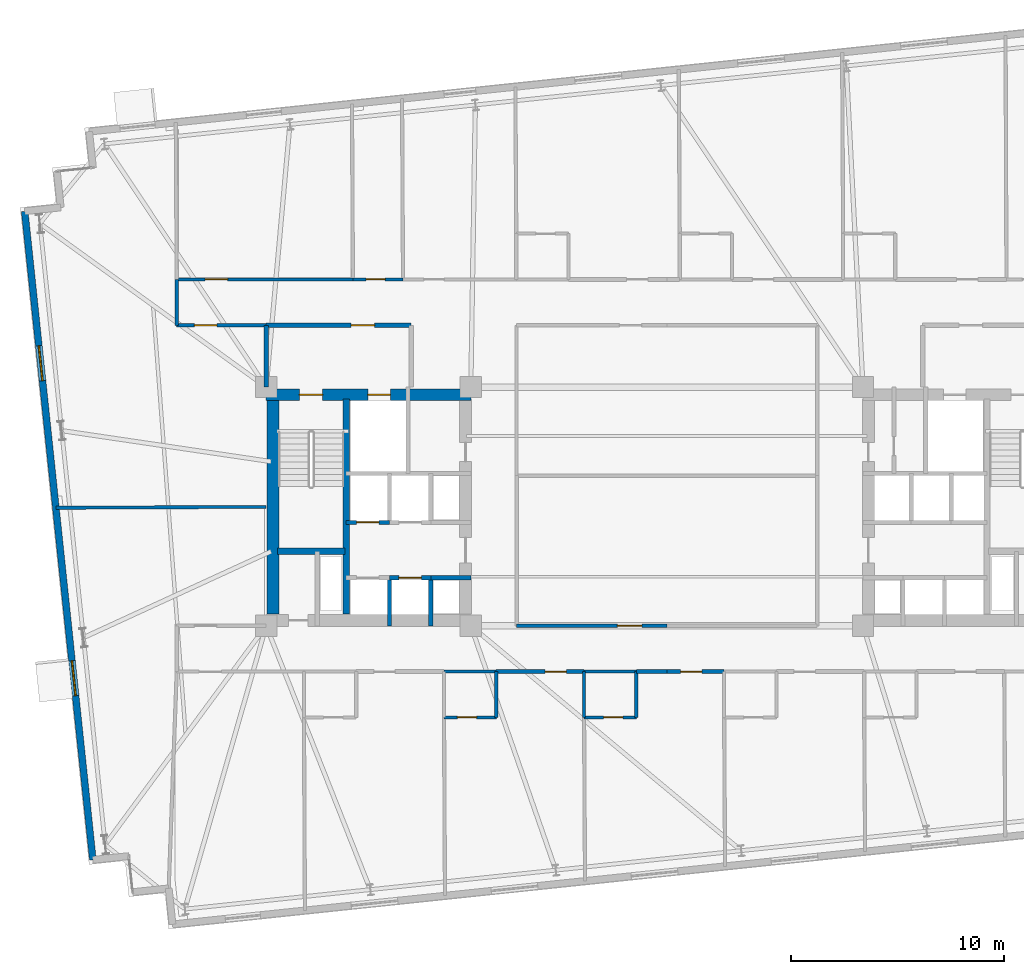
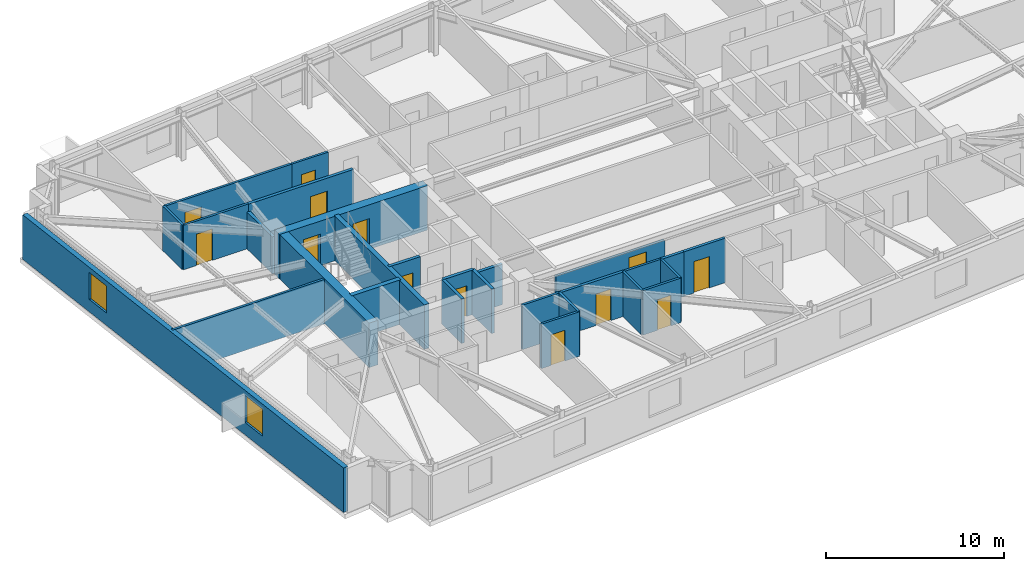
# One storey, part 12 of 19: 28 walls, 13 doors, 2 windows, 15 openings.
"""IFC4 building model written with IfcOpenShell, lengths in metres."""

from ifc_helpers import new_model, si_unit, direction, frame, frame_2d, origin, place, context, subcontext, project, spatial, rectangle, extrude, material, layer, layer_set, type_object, element, fill, save


model = new_model("IFC4")

# Units and contexts
model_context = context("Model", 3, precision=1e-05, world=origin(), true_north=direction((0.0, 1.0)))
body_context = subcontext(model_context, "Body", "Model", "MODEL_VIEW")
ifc_project = project(units=[si_unit("LENGTHUNIT", "METRE"), si_unit("AREAUNIT", "SQUARE_METRE"), si_unit("VOLUMEUNIT", "CUBIC_METRE"), si_unit("PLANEANGLEUNIT", "RADIAN"), si_unit("MASSUNIT", "GRAM", prefix="KILO")], contexts=[model_context])

# Site, building, storey
site_placement = place(None, origin())
site = spatial("IfcSite", under=ifc_project, at=site_placement, CompositionType="ELEMENT")
building_placement = place(site_placement, origin())
building = spatial("IfcBuilding", under=site, at=building_placement, Name="Qobustan Lattice House", CompositionType="ELEMENT")
storey_placement = place(building_placement, frame((0.0, 0.0, 115.85009765625)))
storey = spatial("IfcBuildingStorey", under=building, at=storey_placement, Name="L32", CompositionType="ELEMENT", Elevation=115.85009765625)

# Wall, openings, doors
ifc_material_1 = material(Name="Concrete C60/75", Category="concrete")
ifc_layer_1 = layer(ifc_material_1, 0.56005859375)
ifc_layer_set_1 = layer_set([ifc_layer_1], Name="Concrete C60/75")
wall_type_1 = type_object("IfcWallType", Name="WAL-CORE-600", PredefinedType="SHEAR", material=ifc_layer_set_1)
wall_1_placement = place(storey_placement, frame((-18.800048828125, 5.239990234375, 0.0), z_axis=(0.0, 0.0, 1.0), x_axis=(1.0, 0.0, 0.0)))
wall_1 = element("IfcWall", 1, at=wall_1_placement, inside=storey, type_object=wall_type_1, Name="L32 split-core shear wall CW-N", PredefinedType="SHEAR", context=body_context, shape_type="SweptSolid", body=[
    extrude(rectangle(XDim=9.60009765625, YDim=0.56005859375, at=frame_2d((4.800048828125, 0.0))), origin(), (0.0, 0.0, 1.0), 3.044921875),
])
opening_1_placement = place(wall_1_placement, frame((1.550048828125, 0.0, 0.0)))
opening_1 = element("IfcOpeningElement", 2, at=opening_1_placement, cuts=wall_1, Name="Opening SD-01", PredefinedType="OPENING", context=body_context, shape_type="SweptSolid", body=[
    extrude(rectangle(XDim=1.10009765625, YDim=2.14990234375, at=frame_2d((0.550048828125, 1.074951171875))), frame((0.0, 0.2900390625, 0.0), z_axis=(0.0, -1.0, 0.0), x_axis=(1.0, 0.0, 0.0)), (0.0, 0.0, 1.0), 0.580078125),
])
opening_2_placement = place(wall_1_placement, frame((4.77490234375, 0.0, 0.0)))
opening_2 = element("IfcOpeningElement", 3, at=opening_2_placement, cuts=wall_1, Name="Opening LD-01", PredefinedType="OPENING", context=body_context, shape_type="SweptSolid", body=[
    extrude(rectangle(XDim=1.050048828125, YDim=2.10009765625, at=frame_2d((0.52490234375, 1.050048828125))), frame((0.0, 0.2900390625, 0.0), z_axis=(0.0, -1.0, 0.0), x_axis=(1.0, 0.0, 0.0)), (0.0, 0.0, 1.0), 0.580078125),
])
ifc_material_2 = material(Name="Persian walnut timber and steel frame door", Category="steel")
door_type_1 = type_object("IfcDoorType", Name="DOR-LIFT-LD-1050x2100", OperationType="NOTDEFINED", PredefinedType="DOOR", material=ifc_material_2)
door_1_placement = place(opening_2_placement, origin())
door_1 = element("IfcDoor", 4, at=door_1_placement, inside=storey, type_object=door_type_1, Name="L32 firefighting lift FF-W landing door", OperationType="DOUBLE_DOOR_SLIDING", OverallHeight=2.10009765625, OverallWidth=1.050048828125, PredefinedType="DOOR", context=body_context, shape_type="SweptSolid", body=[
    extrude(rectangle(XDim=1.050048828125, YDim=2.10009765625, at=frame_2d((0.52490234375, 1.050048828125))), frame((0.0, 0.02490234375, 0.0), z_axis=(0.0, -1.0, 0.0), x_axis=(1.0, 0.0, 0.0)), (0.0, 0.0, 1.0), 0.050048828125),
])
fill(opening_2, door_1)
ifc_material_3 = material(Name="Persian walnut timber and steel frame door", Category="steel")
door_type_2 = type_object("IfcDoorType", Name="DOR-STAIR-FD-1100x2150", OperationType="NOTDEFINED", PredefinedType="DOOR", material=ifc_material_3)
door_2_placement = place(opening_1_placement, origin())
door_2 = element("IfcDoor", 5, at=door_2_placement, inside=storey, type_object=door_type_2, Name="L32 exit stair ST-W1 fire door", OperationType="SINGLE_SWING_RIGHT", OverallHeight=2.14990234375, OverallWidth=1.10009765625, PredefinedType="DOOR", context=body_context, shape_type="SweptSolid", body=[
    extrude(rectangle(XDim=1.10009765625, YDim=2.14990234375, at=frame_2d((0.550048828125, 1.074951171875))), frame((0.0, 0.02490234375, 0.0), z_axis=(0.0, -1.0, 0.0), x_axis=(1.0, 0.0, 0.0)), (0.0, 0.0, 1.0), 0.050048828125),
])
fill(opening_1, door_2)

# Walls
wall_2_placement = place(storey_placement, frame((-18.489990234375, -5.050048828125, 0.0), z_axis=(0.0, 0.0, 1.0), x_axis=(0.0, 1.0, 0.0)))
element("IfcWall", 6, at=wall_2_placement, inside=storey, type_object=wall_type_1, Name="L32 split-core shear wall CW-W", PredefinedType="SHEAR", context=body_context, shape_type="SweptSolid", body=[
    extrude(rectangle(XDim=10.10009765625, YDim=0.56005859375, at=frame_2d((5.050048828125, 0.0))), origin(), (0.0, 0.0, 1.0), 3.044921875),
])
ifc_material_4 = material(Name="Concrete C50/60", Category="concrete")
ifc_layer_2 = layer(ifc_material_4, 0.280029296875)
ifc_layer_set_2 = layer_set([ifc_layer_2], Name="Concrete C50/60")
wall_type_2 = type_object("IfcWallType", Name="WAL-CORE-SPINE-280", PredefinedType="SHEAR", material=ifc_layer_set_2)
wall_3_placement = place(storey_placement, frame((-15.050048828125, -5.050048828125, 0.0), z_axis=(0.0, 0.0, 1.0), x_axis=(0.0, 1.0, 0.0)))
element("IfcWall", 7, at=wall_3_placement, inside=storey, type_object=wall_type_2, Name="L32 split-core shear wall CW-M", PredefinedType="SHEAR", context=body_context, shape_type="SweptSolid", body=[
    extrude(rectangle(XDim=10.10009765625, YDim=0.300048828125, at=frame_2d((5.050048828125, 0.0))), origin(), (0.0, 0.0, 1.0), 3.044921875),
])
wall_4_placement = place(storey_placement, frame((-18.280029296875, -2.110107421875, 0.0), z_axis=(0.0, 0.0, 1.0), x_axis=(1.0, 0.0, 0.0)))
element("IfcWall", 8, at=wall_4_placement, inside=storey, type_object=wall_type_2, Name="L32 split-core shear wall CW-ST", PredefinedType="SHEAR", context=body_context, shape_type="SweptSolid", body=[
    extrude(rectangle(XDim=3.179931640625, YDim=0.300048828125, at=frame_2d((1.58984375, 0.0))), origin(), (0.0, 0.0, 1.0), 3.044921875),
])

# Wall, openings, windows
ifc_material_5 = material(Name="Precast concrete C40/50", Category="concrete")
ifc_layer_3 = layer(ifc_material_5, 0.320068359375)
ifc_layer_set_3 = layer_set([ifc_layer_3], Name="Precast concrete C40/50")
wall_type_3 = type_object("IfcWallType", Name="WAL-EXT-STONE-320", PredefinedType="SOLIDWALL", material=ifc_layer_set_3)
wall_5_placement = place(storey_placement, frame((-26.934814453125, -16.58349609375, 0.0), z_axis=(0.0, 0.0, 1.0), x_axis=(-0.104524887486, 0.994522271192, 0.0)))
wall_5 = element("IfcWall", 9, at=wall_5_placement, inside=storey, type_object=wall_type_3, Name="L32 exterior limestone-clad wall 5", PredefinedType="SOLIDWALL", context=body_context, shape_type="SweptSolid", body=[
    extrude(rectangle(XDim=30.600341796875, YDim=0.320068359375, at=frame_2d((15.30029296875, 0.0))), origin(), (0.0, 0.0, 1.0), 3.044921875),
])
opening_3_placement = place(wall_5_placement, frame((7.74609375, 0.0, 0.85009765625)))
opening_3 = element("IfcOpeningElement", 10, at=opening_3_placement, cuts=wall_5, Name="Opening WN-09", PredefinedType="OPENING", context=body_context, shape_type="SweptSolid", body=[
    extrude(rectangle(XDim=1.64990234375, YDim=1.85009765625, at=frame_2d((0.824951171875, 0.925048828125))), frame((0.0, 0.169921875, 0.0), z_axis=(0.0, -1.0, 0.0), x_axis=(1.0, 0.0, 0.0)), (0.0, 0.0, 1.0), 0.340087890625),
])
opening_4_placement = place(wall_5_placement, frame((22.605712890625, 0.0, 0.85009765625)))
opening_4 = element("IfcOpeningElement", 11, at=opening_4_placement, cuts=wall_5, Name="Opening WN-09", PredefinedType="OPENING", context=body_context, shape_type="SweptSolid", body=[
    extrude(rectangle(XDim=1.64990234375, YDim=1.85009765625, at=frame_2d((0.824951171875, 0.925048828125))), frame((0.0, 0.169921875, 0.0), z_axis=(0.0, -1.0, 0.0), x_axis=(1.0, 0.0, 0.0)), (0.0, 0.0, 1.0), 0.340087890625),
])
ifc_material_6 = material(Name="Double-glazed low-E aluminium window", Category="aluminium")
window_type = type_object("IfcWindowType", Name="WIN-STU-1650x1850", PartitioningType="SINGLE_PANEL", PredefinedType="WINDOW", material=ifc_material_6)
window_1_placement = place(opening_3_placement, origin())
window_1 = element("IfcWindow", 12, at=window_1_placement, inside=storey, type_object=window_type, Name="L32 Fellows reading room window", OverallHeight=1.85009765625, OverallWidth=1.64990234375, PartitioningType="SINGLE_PANEL", PredefinedType="WINDOW", context=body_context, shape_type="SweptSolid", body=[
    extrude(rectangle(XDim=1.64990234375, YDim=1.85009765625, at=frame_2d((0.824951171875, 0.925048828125))), frame((0.0, 0.030029296875, 0.0), z_axis=(0.0, -1.0, 0.0), x_axis=(1.0, 0.0, 0.0)), (0.0, 0.0, 1.0), 0.06005859375),
])
fill(opening_3, window_1)
window_2_placement = place(opening_4_placement, origin())
window_2 = element("IfcWindow", 13, at=window_2_placement, inside=storey, type_object=window_type, Name="L32 Collaborative tutorial room window", OverallHeight=1.85009765625, OverallWidth=1.64990234375, PartitioningType="SINGLE_PANEL", PredefinedType="WINDOW", context=body_context, shape_type="SweptSolid", body=[
    extrude(rectangle(XDim=1.64990234375, YDim=1.85009765625, at=frame_2d((0.824951171875, 0.925048828125))), frame((0.0, 0.030029296875, 0.0), z_axis=(0.0, -1.0, 0.0), x_axis=(1.0, 0.0, 0.0)), (0.0, 0.0, 1.0), 0.06005859375),
])
fill(opening_4, window_2)

# Wall, opening, door
ifc_material_7 = material(Name="Gypsum fireboard acoustic partition", Category="gypsum")
ifc_layer_4 = layer(ifc_material_7, 0.179931640625)
ifc_layer_set_4 = layer_set([ifc_layer_4], Name="Gypsum fireboard acoustic partition")
wall_type_4 = type_object("IfcWallType", Name="WAL-FIRE-180", PredefinedType="PARTITIONING", material=ifc_layer_set_4)
wall_6_placement = place(storey_placement, frame((-3.885986328125, -7.75, 0.0), z_axis=(0.0, 0.0, 1.0), x_axis=(-1.0, 0.0, 0.0)))
wall_6 = element("IfcWall", 14, at=wall_6_placement, inside=storey, type_object=wall_type_4, Name="L32 interior partition 59", PredefinedType="PARTITIONING", context=body_context, shape_type="SweptSolid", body=[
    extrude(rectangle(XDim=4.12109375, YDim=0.179931640625, at=frame_2d((2.060546875, 0.0))), origin(), (0.0, 0.0, 1.0), 3.044921875),
])
opening_5_placement = place(wall_6_placement, frame((0.8251953125, 0.0, 0.0)))
opening_5 = element("IfcOpeningElement", 15, at=opening_5_placement, cuts=wall_6, Name="Opening FD-02", PredefinedType="OPENING", context=body_context, shape_type="SweptSolid", body=[
    extrude(rectangle(XDim=1.0, YDim=2.14990234375, at=frame_2d((0.5, 1.074951171875))), frame((0.0, 0.099853515625, 0.0), z_axis=(0.0, -1.0, 0.0), x_axis=(1.0, 0.0, 0.0)), (0.0, 0.0, 1.0), 0.199951171875),
])
ifc_material_8 = material(Name="Persian walnut timber and steel frame door", Category="steel")
door_type_3 = type_object("IfcDoorType", Name="DOR-UNIT-FD-1000x2150", OperationType="NOTDEFINED", PredefinedType="DOOR", material=ifc_material_8)
door_3_placement = place(opening_5_placement, origin())
door_3 = element("IfcDoor", 16, at=door_3_placement, inside=storey, type_object=door_type_3, Name="L32 South-west floor corridor to Kitchenette and studio apartment L32-S3 door", OperationType="SINGLE_SWING_LEFT", OverallHeight=2.14990234375, OverallWidth=1.0, PredefinedType="DOOR", context=body_context, shape_type="SweptSolid", body=[
    extrude(rectangle(XDim=1.0, YDim=2.14990234375, at=frame_2d((0.5, 1.074951171875))), frame((0.0, 0.02490234375, 0.0), z_axis=(0.0, -1.0, 0.0), x_axis=(1.0, 0.0, 0.0)), (0.0, 0.0, 1.0), 0.050048828125),
])
fill(opening_5, door_3)

# Wall
wall_7_placement = place(storey_placement, frame((0.0, -7.75, 0.0), z_axis=(0.0, 0.0, 1.0), x_axis=(-1.0, 0.0, 0.0)))
element("IfcWall", 17, at=wall_7_placement, inside=storey, type_object=wall_type_4, Name="L32 interior partition 61", PredefinedType="PARTITIONING", context=body_context, shape_type="SweptSolid", body=[
    extrude(rectangle(XDim=1.43603515625, YDim=0.179931640625, at=frame_2d((0.718017578125, 0.0))), origin(), (0.0, 0.0, 1.0), 3.044921875),
])

# Wall, opening, door
wall_8_placement = place(storey_placement, frame((2.68603515625, -7.75, 0.0), z_axis=(0.0, 0.0, 1.0), x_axis=(-1.0, 0.0, 0.0)))
wall_8 = element("IfcWall", 18, at=wall_8_placement, inside=storey, type_object=wall_type_4, Name="L32 interior partition 66", PredefinedType="PARTITIONING", context=body_context, shape_type="SweptSolid", body=[
    extrude(rectangle(XDim=2.68603515625, YDim=0.179931640625, at=frame_2d((1.343017578125, 0.0))), origin(), (0.0, 0.0, 1.0), 3.044921875),
])
opening_6_placement = place(wall_8_placement, frame((1.040283203125, 0.0, 0.0)))
opening_6 = element("IfcOpeningElement", 19, at=opening_6_placement, cuts=wall_8, Name="Opening FD-02", PredefinedType="OPENING", context=body_context, shape_type="SweptSolid", body=[
    extrude(rectangle(XDim=1.0, YDim=2.14990234375, at=frame_2d((0.5, 1.074951171875))), frame((0.0, 0.099853515625, 0.0), z_axis=(0.0, -1.0, 0.0), x_axis=(1.0, 0.0, 0.0)), (0.0, 0.0, 1.0), 0.199951171875),
])
door_4_placement = place(opening_6_placement, origin())
door_4 = element("IfcDoor", 20, at=door_4_placement, inside=storey, type_object=door_type_3, Name="L32 South-east floor corridor to Kitchenette and studio apartment L32-S4 door", OperationType="SINGLE_SWING_RIGHT", OverallHeight=2.14990234375, OverallWidth=1.0, PredefinedType="DOOR", context=body_context, shape_type="SweptSolid", body=[
    extrude(rectangle(XDim=1.0, YDim=2.14990234375, at=frame_2d((0.5, 1.074951171875))), frame((0.0, 0.02490234375, 0.0), z_axis=(0.0, -1.0, 0.0), x_axis=(1.0, 0.0, 0.0)), (0.0, 0.0, 1.0), 0.050048828125),
])
fill(opening_6, door_4)

ifc_material_9 = material(Name="Acoustic twin-stud gypsum partition", Category="gypsum")
ifc_layer_5 = layer(ifc_material_9, 0.14990234375)
ifc_layer_set_5 = layer_set([ifc_layer_5], Name="Acoustic twin-stud gypsum partition")
wall_type_5 = type_object("IfcWallType", Name="WAL-PART-150", PredefinedType="PARTITIONING", material=ifc_layer_set_5)
wall_9_placement = place(storey_placement, frame((-18.800048828125, 8.5, 0.0), z_axis=(0.0, 0.0, 1.0), x_axis=(-1.0, 0.0, 0.0)))
wall_9 = element("IfcWall", 21, at=wall_9_placement, inside=storey, type_object=wall_type_5, Name="L32 interior partition 36", PredefinedType="PARTITIONING", context=body_context, shape_type="SweptSolid", body=[
    extrude(rectangle(XDim=4.199951171875, YDim=0.14990234375, at=frame_2d((2.10009765625, 0.0))), origin(), (0.0, 0.0, 1.0), 3.044921875),
])
opening_7_placement = place(wall_9_placement, frame((2.3212890625, 0.0, 0.0)))
opening_7 = element("IfcOpeningElement", 22, at=opening_7_placement, cuts=wall_9, Name="Opening ID-02", PredefinedType="OPENING", context=body_context, shape_type="SweptSolid", body=[
    extrude(rectangle(XDim=1.050048828125, YDim=2.14990234375, at=frame_2d((0.52490234375, 1.074951171875))), frame((0.0, 0.0849609375, 0.0), z_axis=(0.0, -1.0, 0.0), x_axis=(1.0, 0.0, 0.0)), (0.0, 0.0, 1.0), 0.169921875),
])
ifc_material_10 = material(Name="Persian walnut timber and steel frame door", Category="steel")
door_type_4 = type_object("IfcDoorType", Name="DOR-STUDY-1050x2150", OperationType="NOTDEFINED", PredefinedType="DOOR", material=ifc_material_10)
door_5_placement = place(opening_7_placement, origin())
door_5 = element("IfcDoor", 23, at=door_5_placement, inside=storey, type_object=door_type_4, Name="L32 North-west floor corridor to Collaborative tutorial room door", OperationType="SINGLE_SWING_LEFT", OverallHeight=2.14990234375, OverallWidth=1.050048828125, PredefinedType="DOOR", context=body_context, shape_type="SweptSolid", body=[
    extrude(rectangle(XDim=1.050048828125, YDim=2.14990234375, at=frame_2d((0.52490234375, 1.074951171875))), frame((0.0, 0.02490234375, 0.0), z_axis=(0.0, -1.0, 0.0), x_axis=(1.0, 0.0, 0.0)), (0.0, 0.0, 1.0), 0.050048828125),
])
fill(opening_7, door_5)

# Wall
wall_10_placement = place(storey_placement, frame((-23.0, 8.5, 0.0), z_axis=(0.0, 0.0, 1.0), x_axis=(0.0, 1.0, 0.0)))
element("IfcWall", 24, at=wall_10_placement, inside=storey, type_object=wall_type_5, Name="L32 interior partition 37", PredefinedType="PARTITIONING", context=body_context, shape_type="SweptSolid", body=[
    extrude(rectangle(XDim=2.14990234375, YDim=0.14990234375, at=frame_2d((1.074951171875, 0.0))), origin(), (0.0, 0.0, 1.0), 3.044921875),
])

# Wall, opening, door
wall_11_placement = place(storey_placement, frame((-23.0, 10.64990234375, 0.0), z_axis=(0.0, 0.0, 1.0), x_axis=(1.0, 0.0, 0.0)))
wall_11 = element("IfcWall", 25, at=wall_11_placement, inside=storey, type_object=wall_type_5, Name="L32 interior partition 38", PredefinedType="PARTITIONING", context=body_context, shape_type="SweptSolid", body=[
    extrude(rectangle(XDim=8.26708984375, YDim=0.14990234375, at=frame_2d((4.133544921875, 0.0))), origin(), (0.0, 0.0, 1.0), 3.044921875),
])
opening_8_placement = place(wall_11_placement, frame((1.337158203125, 0.0, 0.0)))
opening_8 = element("IfcOpeningElement", 26, at=opening_8_placement, cuts=wall_11, Name="Opening ID-02", PredefinedType="OPENING", context=body_context, shape_type="SweptSolid", body=[
    extrude(rectangle(XDim=1.050048828125, YDim=2.14990234375, at=frame_2d((0.52490234375, 1.074951171875))), frame((0.0, 0.0849609375, 0.0), z_axis=(0.0, -1.0, 0.0), x_axis=(1.0, 0.0, 0.0)), (0.0, 0.0, 1.0), 0.169921875),
])
door_6_placement = place(opening_8_placement, origin())
door_6 = element("IfcDoor", 27, at=door_6_placement, inside=storey, type_object=door_type_4, Name="L32 North-west floor corridor to Focus study room N1 door", OperationType="SINGLE_SWING_RIGHT", OverallHeight=2.14990234375, OverallWidth=1.050048828125, PredefinedType="DOOR", context=body_context, shape_type="SweptSolid", body=[
    extrude(rectangle(XDim=1.050048828125, YDim=2.14990234375, at=frame_2d((0.52490234375, 1.074951171875))), frame((0.0, 0.02490234375, 0.0), z_axis=(0.0, -1.0, 0.0), x_axis=(1.0, 0.0, 0.0)), (0.0, 0.0, 1.0), 0.050048828125),
])
fill(opening_8, door_6)

# Wall
wall_12_placement = place(storey_placement, frame((-28.6708984375, -0.063720703125, 0.0), z_axis=(0.0, 0.0, 1.0), x_axis=(0.999990089865, 0.004451985263, 0.0)))
element("IfcWall", 28, at=wall_12_placement, inside=storey, type_object=wall_type_5, Name="L32 interior partition 77", PredefinedType="PARTITIONING", context=body_context, shape_type="SweptSolid", body=[
    extrude(rectangle(XDim=9.870849609375, YDim=0.14990234375, at=frame_2d((4.935546875, 0.0))), origin(), (0.0, 0.0, 1.0), 3.044921875),
])

# Wall, opening, door
ifc_material_11 = material(Name="High-mass acoustic twin-stud partition", Category="gypsum")
ifc_layer_6 = layer(ifc_material_11, 0.1650390625)
ifc_layer_set_6 = layer_set([ifc_layer_6], Name="High-mass acoustic twin-stud partition")
wall_type_6 = type_object("IfcWallType", Name="WAL-PART-165", PredefinedType="PARTITIONING", material=ifc_layer_set_6)
wall_13_placement = place(storey_placement, frame((-7.050048828125, -5.60009765625, 0.0), z_axis=(0.0, 0.0, 1.0), x_axis=(1.0, 0.0, 0.0)))
wall_13 = element("IfcWall", 29, at=wall_13_placement, inside=storey, type_object=wall_type_6, Name="L32 interior partition 63", PredefinedType="PARTITIONING", context=body_context, shape_type="SweptSolid", body=[
    extrude(rectangle(XDim=7.050048828125, YDim=0.1650390625, at=frame_2d((3.52490234375, 0.0))), origin(), (0.0, 0.0, 1.0), 2.52978515625),
])
opening_9_placement = place(wall_13_placement, frame((4.7275390625, 0.0, 0.0)))
opening_9 = element("IfcOpeningElement", 30, at=opening_9_placement, cuts=wall_13, Name="Opening ID-03", PredefinedType="OPENING", context=body_context, shape_type="SweptSolid", body=[
    extrude(rectangle(XDim=1.14990234375, YDim=2.14990234375, at=frame_2d((0.574951171875, 1.074951171875))), frame((0.0, 0.092529296875, 0.0), z_axis=(0.0, -1.0, 0.0), x_axis=(1.0, 0.0, 0.0)), (0.0, 0.0, 1.0), 0.18505859375),
])
ifc_material_12 = material(Name="Persian walnut timber and steel frame door", Category="steel")
door_type_5 = type_object("IfcDoorType", Name="DOR-KITCH-1150x2150", OperationType="NOTDEFINED", PredefinedType="DOOR", material=ifc_material_12)
door_7_placement = place(opening_9_placement, origin())
door_7 = element("IfcDoor", 31, at=door_7_placement, inside=storey, type_object=door_type_5, Name="L32 South-west floor corridor to Communal dining kitchen door", OperationType="SINGLE_SWING_RIGHT", OverallHeight=2.14990234375, OverallWidth=1.14990234375, PredefinedType="DOOR", context=body_context, shape_type="SweptSolid", body=[
    extrude(rectangle(XDim=1.14990234375, YDim=2.14990234375, at=frame_2d((0.574951171875, 1.074951171875))), frame((0.0, 0.02490234375, 0.0), z_axis=(0.0, -1.0, 0.0), x_axis=(1.0, 0.0, 0.0)), (0.0, 0.0, 1.0), 0.050048828125),
])
fill(opening_9, door_7)

ifc_material_13 = material(Name="Two-hour gypsum fireboard acoustic partition", Category="gypsum")
ifc_layer_7 = layer(ifc_material_13, 0.199951171875)
ifc_layer_set_7 = layer_set([ifc_layer_7], Name="Two-hour gypsum fireboard acoustic partition")
wall_type_7 = type_object("IfcWallType", Name="WAL-PROT-200", PredefinedType="PARTITIONING", material=ifc_layer_set_7)
wall_14_placement = place(storey_placement, frame((-12.0, 8.5, 0.0), z_axis=(0.0, 0.0, 1.0), x_axis=(-1.0, 0.0, 0.0)))
wall_14 = element("IfcWall", 32, at=wall_14_placement, inside=storey, type_object=wall_type_7, Name="L32 interior partition 3", PredefinedType="PARTITIONING", context=body_context, shape_type="SweptSolid", body=[
    extrude(rectangle(XDim=6.800048828125, YDim=0.199951171875, at=frame_2d((3.39990234375, 0.0))), origin(), (0.0, 0.0, 1.0), 3.044921875),
])
opening_10_placement = place(wall_14_placement, frame((1.715087890625, 0.0, 0.0)))
opening_10 = element("IfcOpeningElement", 33, at=opening_10_placement, cuts=wall_14, Name="Opening SD-01", PredefinedType="OPENING", context=body_context, shape_type="SweptSolid", body=[
    extrude(rectangle(XDim=1.10009765625, YDim=2.14990234375, at=frame_2d((0.550048828125, 1.074951171875))), frame((0.0, 0.10986328125, 0.0), z_axis=(0.0, -1.0, 0.0), x_axis=(1.0, 0.0, 0.0)), (0.0, 0.0, 1.0), 0.219970703125),
])
door_8_placement = place(opening_10_placement, origin())
door_8 = element("IfcDoor", 34, at=door_8_placement, inside=storey, type_object=door_type_2, Name="L32 West firefighting lift lobby to North-west floor corridor door", OperationType="SINGLE_SWING_RIGHT", OverallHeight=2.14990234375, OverallWidth=1.10009765625, PredefinedType="DOOR", context=body_context, shape_type="SweptSolid", body=[
    extrude(rectangle(XDim=1.10009765625, YDim=2.14990234375, at=frame_2d((0.550048828125, 1.074951171875))), frame((0.0, 0.02490234375, 0.0), z_axis=(0.0, -1.0, 0.0), x_axis=(1.0, 0.0, 0.0)), (0.0, 0.0, 1.0), 0.050048828125),
])
fill(opening_10, door_8)

# Wall
wall_15_placement = place(storey_placement, frame((-18.800048828125, 8.5, 0.0), z_axis=(0.0, 0.0, 1.0), x_axis=(0.0, -1.0, 0.0)))
element("IfcWall", 35, at=wall_15_placement, inside=storey, type_object=wall_type_7, Name="L32 interior partition 5", PredefinedType="PARTITIONING", context=body_context, shape_type="SweptSolid", body=[
    extrude(rectangle(XDim=2.89990234375, YDim=0.199951171875, at=frame_2d((1.449951171875, 0.0))), origin(), (0.0, 0.0, 1.0), 2.52978515625),
])

# Wall, opening, door
ifc_material_14 = material(Name="Concrete C40/50", Category="concrete")
ifc_layer_8 = layer(ifc_material_14, 0.199951171875)
ifc_layer_set_8 = layer_set([ifc_layer_8], Name="Concrete C40/50")
wall_type_8 = type_object("IfcWallType", Name="WAL-SHAFT-200", PredefinedType="PARTITIONING", material=ifc_layer_set_8)
wall_16_placement = place(storey_placement, frame((-13.02001953125, -3.35009765625, 0.0), z_axis=(0.0, 0.0, 1.0), x_axis=(1.0, 0.0, 0.0)))
wall_16 = element("IfcWall", 36, at=wall_16_placement, inside=storey, type_object=wall_type_8, Name="L32 interior partition 8", PredefinedType="PARTITIONING", context=body_context, shape_type="SweptSolid", body=[
    extrude(rectangle(XDim=1.93994140625, YDim=0.199951171875, at=frame_2d((0.969970703125, 0.0))), origin(), (0.0, 0.0, 1.0), 3.044921875),
])
opening_11_placement = place(wall_16_placement, frame((0.445068359375, 0.0, 0.0)))
opening_11 = element("IfcOpeningElement", 37, at=opening_11_placement, cuts=wall_16, Name="Opening LD-01", PredefinedType="OPENING", context=body_context, shape_type="SweptSolid", body=[
    extrude(rectangle(XDim=1.050048828125, YDim=2.10009765625, at=frame_2d((0.52490234375, 1.050048828125))), frame((0.0, 0.10986328125, 0.0), z_axis=(0.0, -1.0, 0.0), x_axis=(1.0, 0.0, 0.0)), (0.0, 0.0, 1.0), 0.219970703125),
])
door_9_placement = place(opening_11_placement, origin())
door_9 = element("IfcDoor", 38, at=door_9_placement, inside=storey, type_object=door_type_1, Name="L32 lift landing door", OperationType="DOUBLE_DOOR_SLIDING", OverallHeight=2.10009765625, OverallWidth=1.050048828125, PredefinedType="DOOR", context=body_context, shape_type="SweptSolid", body=[
    extrude(rectangle(XDim=1.050048828125, YDim=2.10009765625, at=frame_2d((0.52490234375, 1.050048828125))), frame((0.0, 0.02490234375, 0.0), z_axis=(0.0, -1.0, 0.0), x_axis=(1.0, 0.0, 0.0)), (0.0, 0.0, 1.0), 0.050048828125),
])
fill(opening_11, door_9)

# Wall
wall_17_placement = place(storey_placement, frame((-11.080078125, -3.35009765625, 0.0), z_axis=(0.0, 0.0, 1.0), x_axis=(1.0, 0.0, 0.0)))
element("IfcWall", 39, at=wall_17_placement, inside=storey, type_object=wall_type_8, Name="L32 interior partition 9", PredefinedType="PARTITIONING", context=body_context, shape_type="SweptSolid", body=[
    extrude(rectangle(XDim=1.880126953125, YDim=0.199951171875, at=frame_2d((0.93994140625, 0.0))), origin(), (0.0, 0.0, 1.0), 2.760009765625),
])

# Wall, opening, door
wall_18_placement = place(storey_placement, frame((-13.02001953125, -0.75, 0.0), z_axis=(0.0, 0.0, 1.0), x_axis=(-1.0, 0.0, 0.0)))
wall_18 = element("IfcWall", 40, at=wall_18_placement, inside=storey, type_object=wall_type_8, Name="L32 interior partition 10", PredefinedType="PARTITIONING", context=body_context, shape_type="SweptSolid", body=[
    extrude(rectangle(XDim=2.030029296875, YDim=0.199951171875, at=frame_2d((1.01513671875, 0.0))), origin(), (0.0, 0.0, 1.0), 3.044921875),
])
opening_12_placement = place(wall_18_placement, frame((0.489990234375, 0.0, 0.0)))
opening_12 = element("IfcOpeningElement", 41, at=opening_12_placement, cuts=wall_18, Name="Opening LD-01", PredefinedType="OPENING", context=body_context, shape_type="SweptSolid", body=[
    extrude(rectangle(XDim=1.050048828125, YDim=2.10009765625, at=frame_2d((0.52490234375, 1.050048828125))), frame((0.0, 0.10986328125, 0.0), z_axis=(0.0, -1.0, 0.0), x_axis=(1.0, 0.0, 0.0)), (0.0, 0.0, 1.0), 0.219970703125),
])
door_10_placement = place(opening_12_placement, origin())
door_10 = element("IfcDoor", 42, at=door_10_placement, inside=storey, type_object=door_type_1, Name="L32 lift landing door", OperationType="DOUBLE_DOOR_SLIDING", OverallHeight=2.10009765625, OverallWidth=1.050048828125, PredefinedType="DOOR", context=body_context, shape_type="SweptSolid", body=[
    extrude(rectangle(XDim=1.050048828125, YDim=2.10009765625, at=frame_2d((0.52490234375, 1.050048828125))), frame((0.0, 0.02490234375, 0.0), z_axis=(0.0, -1.0, 0.0), x_axis=(1.0, 0.0, 0.0)), (0.0, 0.0, 1.0), 0.050048828125),
])
fill(opening_12, door_10)

# Walls
for number, where, z_axis, x_axis, name in (
    (43, (-13.02001953125, -5.60009765625, 0.0), (0.0, 0.0, 1.0), (0.0, 1.0, 0.0), "L32 interior partition 14"),
    (44, (-11.080078125, -5.60009765625, 0.0), (0.0, 0.0, 1.0), (0.0, 1.0, 0.0), "L32 interior partition 15"),
):
    element("IfcWall", number, at=place(storey_placement, frame(where, z_axis=z_axis, x_axis=x_axis)), inside=storey, type_object=wall_type_8, Name=name, PredefinedType="PARTITIONING", context=body_context, shape_type="SweptSolid", body=[
        extrude(rectangle(XDim=2.25, YDim=0.199951171875, at=frame_2d((1.125, 0.0))), origin(), (0.0, 0.0, 1.0), 3.044921875),
    ])

# Wall, opening, door
ifc_material_15 = material(Name="Moisture-resistant acoustic plumbing wall", Category="gypsum")
ifc_layer_9 = layer(ifc_material_15, 0.14990234375)
ifc_layer_set_9 = layer_set([ifc_layer_9], Name="Moisture-resistant acoustic plumbing wall")
wall_type_9 = type_object("IfcWallType", Name="WAL-WET-150", PredefinedType="PLUMBINGWALL", material=ifc_layer_set_9)
wall_19_placement = place(storey_placement, frame((-14.73291015625, 10.64990234375, 0.0), z_axis=(0.0, 0.0, 1.0), x_axis=(1.0, 0.0, 0.0)))
wall_19 = element("IfcWall", 45, at=wall_19_placement, inside=storey, type_object=wall_type_9, Name="L32 interior partition 39", PredefinedType="PLUMBINGWALL", context=body_context, shape_type="SweptSolid", body=[
    extrude(rectangle(XDim=2.349853515625, YDim=0.14990234375, at=frame_2d((1.1748046875, 0.0))), origin(), (0.0, 0.0, 1.0), 3.044921875),
])
opening_13_placement = place(wall_19_placement, frame((0.6162109375, 0.0, 0.0)))
opening_13 = element("IfcOpeningElement", 46, at=opening_13_placement, cuts=wall_19, Name="Opening WD-01", PredefinedType="OPENING", context=body_context, shape_type="SweptSolid", body=[
    extrude(rectangle(XDim=0.89990234375, YDim=2.10009765625, at=frame_2d((0.449951171875, 1.050048828125))), frame((0.0, 0.0849609375, 0.0), z_axis=(0.0, -1.0, 0.0), x_axis=(1.0, 0.0, 0.0)), (0.0, 0.0, 1.0), 0.169921875),
])
ifc_material_16 = material(Name="Persian walnut timber and steel frame door", Category="steel")
door_type_6 = type_object("IfcDoorType", Name="DOR-WET-900x2100", OperationType="NOTDEFINED", PredefinedType="DOOR", material=ifc_material_16)
door_11_placement = place(opening_13_placement, origin())
door_11 = element("IfcDoor", 47, at=door_11_placement, inside=storey, type_object=door_type_6, Name="L32 North-west floor corridor to Accessible WC door", OperationType="SINGLE_SWING_LEFT", OverallHeight=2.10009765625, OverallWidth=0.89990234375, PredefinedType="DOOR", context=body_context, shape_type="SweptSolid", body=[
    extrude(rectangle(XDim=0.89990234375, YDim=2.10009765625, at=frame_2d((0.449951171875, 1.050048828125))), frame((0.0, 0.02490234375, 0.0), z_axis=(0.0, -1.0, 0.0), x_axis=(1.0, 0.0, 0.0)), (0.0, 0.0, 1.0), 0.050048828125),
])
fill(opening_13, door_11)

# Walls
for number, where, z_axis, x_axis, name in (
    (48, (-8.007080078125, -7.75, 0.0), (0.0, 0.0, 1.0), (-1.0, 0.0, 0.0), "L32 interior partition 60"),
    (49, (-1.43603515625, -7.75, 0.0), (0.0, 0.0, 1.0), (-1.0, 0.0, 0.0), "L32 interior partition 62"),
):
    element("IfcWall", number, at=place(storey_placement, frame(where, z_axis=z_axis, x_axis=x_axis)), inside=storey, type_object=wall_type_9, Name=name, PredefinedType="PLUMBINGWALL", context=body_context, shape_type="SweptSolid", body=[
        extrude(rectangle(XDim=2.449951171875, YDim=0.14990234375, at=frame_2d((1.22509765625, 0.0))), origin(), (0.0, 0.0, 1.0), 3.044921875),
    ])

# Wall, opening, door
wall_20_placement = place(storey_placement, frame((-10.45703125, -9.89990234375, 0.0), z_axis=(0.0, 0.0, 1.0), x_axis=(1.0, 0.0, 0.0)))
wall_20 = element("IfcWall", 50, at=wall_20_placement, inside=storey, type_object=wall_type_9, Name="L32 interior partition 105", PredefinedType="PLUMBINGWALL", context=body_context, shape_type="SweptSolid", body=[
    extrude(rectangle(XDim=2.449951171875, YDim=0.14990234375, at=frame_2d((1.22509765625, 0.0))), origin(), (0.0, 0.0, 1.0), 3.044921875),
])
opening_14_placement = place(wall_20_placement, frame((0.62890625, 0.0, 0.0)))
opening_14 = element("IfcOpeningElement", 51, at=opening_14_placement, cuts=wall_20, Name="Opening WD-01", PredefinedType="OPENING", context=body_context, shape_type="SweptSolid", body=[
    extrude(rectangle(XDim=0.89990234375, YDim=2.10009765625, at=frame_2d((0.449951171875, 1.050048828125))), frame((0.0, 0.0849609375, 0.0), z_axis=(0.0, -1.0, 0.0), x_axis=(1.0, 0.0, 0.0)), (0.0, 0.0, 1.0), 0.169921875),
])
door_12_placement = place(opening_14_placement, origin())
door_12 = element("IfcDoor", 52, at=door_12_placement, inside=storey, type_object=door_type_6, Name="L32 Kitchenette and studio apartment L32-S3 to En-suite bathroom L32-S3 door", OperationType="SINGLE_SWING_RIGHT", OverallHeight=2.10009765625, OverallWidth=0.89990234375, PredefinedType="DOOR", context=body_context, shape_type="SweptSolid", body=[
    extrude(rectangle(XDim=0.89990234375, YDim=2.10009765625, at=frame_2d((0.449951171875, 1.050048828125))), frame((0.0, 0.02490234375, 0.0), z_axis=(0.0, -1.0, 0.0), x_axis=(1.0, 0.0, 0.0)), (0.0, 0.0, 1.0), 0.050048828125),
])
fill(opening_14, door_12)

# Walls
for number, where, z_axis, x_axis, name in (
    (53, (-8.007080078125, -9.89990234375, 0.0), (0.0, 0.0, 1.0), (0.0, 1.0, 0.0), "L32 interior partition 106"),
    (54, (-3.885986328125, -7.75, 0.0), (0.0, 0.0, 1.0), (0.0, -1.0, 0.0), "L32 interior partition 108"),
):
    element("IfcWall", number, at=place(storey_placement, frame(where, z_axis=z_axis, x_axis=x_axis)), inside=storey, type_object=wall_type_9, Name=name, PredefinedType="PLUMBINGWALL", context=body_context, shape_type="SweptSolid", body=[
        extrude(rectangle(XDim=2.14990234375, YDim=0.14990234375, at=frame_2d((1.074951171875, 0.0))), origin(), (0.0, 0.0, 1.0), 3.044921875),
    ])

# Wall, opening, door
wall_21_placement = place(storey_placement, frame((-3.885986328125, -9.89990234375, 0.0), z_axis=(0.0, 0.0, 1.0), x_axis=(1.0, 0.0, 0.0)))
wall_21 = element("IfcWall", 55, at=wall_21_placement, inside=storey, type_object=wall_type_9, Name="L32 interior partition 109", PredefinedType="PLUMBINGWALL", context=body_context, shape_type="SweptSolid", body=[
    extrude(rectangle(XDim=2.449951171875, YDim=0.14990234375, at=frame_2d((1.22509765625, 0.0))), origin(), (0.0, 0.0, 1.0), 3.044921875),
])
opening_15_placement = place(wall_21_placement, frame((0.92138671875, 0.0, 0.0)))
opening_15 = element("IfcOpeningElement", 56, at=opening_15_placement, cuts=wall_21, Name="Opening WD-01", PredefinedType="OPENING", context=body_context, shape_type="SweptSolid", body=[
    extrude(rectangle(XDim=0.89990234375, YDim=2.10009765625, at=frame_2d((0.449951171875, 1.050048828125))), frame((0.0, 0.0849609375, 0.0), z_axis=(0.0, -1.0, 0.0), x_axis=(1.0, 0.0, 0.0)), (0.0, 0.0, 1.0), 0.169921875),
])
door_13_placement = place(opening_15_placement, origin())
door_13 = element("IfcDoor", 57, at=door_13_placement, inside=storey, type_object=door_type_6, Name="L32 Kitchenette and studio apartment L32-S4 to En-suite bathroom L32-S4 door", OperationType="SINGLE_SWING_LEFT", OverallHeight=2.10009765625, OverallWidth=0.89990234375, PredefinedType="DOOR", context=body_context, shape_type="SweptSolid", body=[
    extrude(rectangle(XDim=0.89990234375, YDim=2.10009765625, at=frame_2d((0.449951171875, 1.050048828125))), frame((0.0, 0.02490234375, 0.0), z_axis=(0.0, -1.0, 0.0), x_axis=(1.0, 0.0, 0.0)), (0.0, 0.0, 1.0), 0.050048828125),
])
fill(opening_15, door_13)

# Wall
wall_22_placement = place(storey_placement, frame((-1.43603515625, -9.89990234375, 0.0), z_axis=(0.0, 0.0, 1.0), x_axis=(0.0, 1.0, 0.0)))
element("IfcWall", 58, at=wall_22_placement, inside=storey, type_object=wall_type_9, Name="L32 interior partition 110", PredefinedType="PLUMBINGWALL", context=body_context, shape_type="SweptSolid", body=[
    extrude(rectangle(XDim=2.14990234375, YDim=0.14990234375, at=frame_2d((1.074951171875, 0.0))), origin(), (0.0, 0.0, 1.0), 3.044921875),
])

save(model, "model.ifc")
